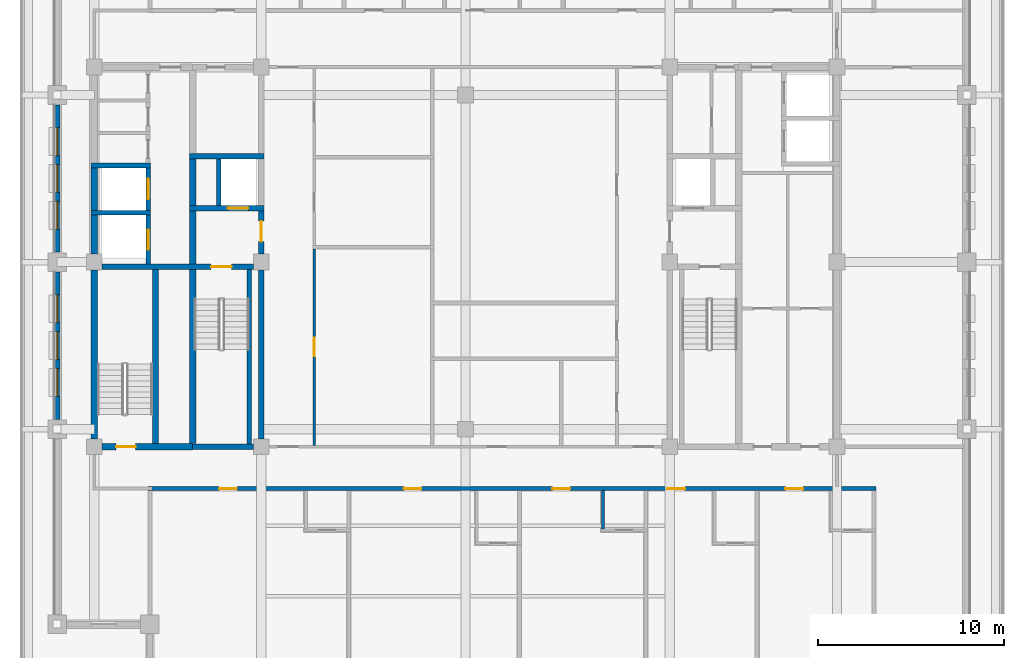
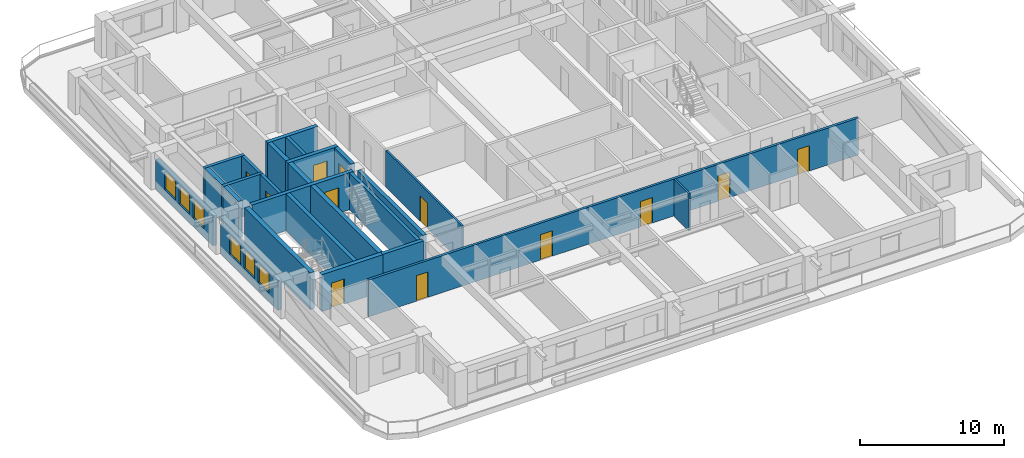
# One storey, part 3 of 15: 25 walls, 12 doors, 6 windows, 18 openings.
"""IFC4 building model written with IfcOpenShell, lengths in metres."""

from ifc_helpers import new_model, si_unit, direction, frame, frame_2d, origin, place, context, subcontext, project, spatial, rectangle, extrude, material, layer, layer_set, type_object, element, fill, save


model = new_model("IFC4")

# Units and contexts
model_context = context("Model", 3, precision=1e-05, world=origin(), true_north=direction((0.0, 1.0)))
body_context = subcontext(model_context, "Body", "Model", "MODEL_VIEW")
ifc_project = project(units=[si_unit("LENGTHUNIT", "METRE"), si_unit("AREAUNIT", "SQUARE_METRE"), si_unit("VOLUMEUNIT", "CUBIC_METRE"), si_unit("PLANEANGLEUNIT", "RADIAN"), si_unit("MASSUNIT", "GRAM", prefix="KILO")], contexts=[model_context])

# Site, building, storey
site_placement = place(None, origin())
site = spatial("IfcSite", under=ifc_project, at=site_placement, CompositionType="ELEMENT")
building_placement = place(site_placement, origin())
building = spatial("IfcBuilding", under=site, at=building_placement, Name="Zulmaris Gate Convention Tower", CompositionType="ELEMENT")
storey_placement = place(building_placement, frame((0.0, 0.0, 172.85986328125)))
storey = spatial("IfcBuildingStorey", under=building, at=storey_placement, Name="L44", CompositionType="ELEMENT", Elevation=172.85986328125)

# Walls
ifc_material_1 = material(Name="Concrete C50/60", Category="concrete")
ifc_layer_1 = layer(ifc_material_1, 0.25, Name="Concrete C50/60")
ifc_layer_set_1 = layer_set([ifc_layer_1], Name="Concrete C50/60")
wall_type_1 = type_object("IfcWallType", Name="CORE-250", PredefinedType="SOLIDWALL", material=ifc_layer_set_1)
for number, where, z_axis, x_axis, name in (
    (1, (-20.175048828125, 2.64990234375, 0.0), (0.0, 0.0, 1.0), (1.0, 0.0, 0.0), "WL-L44-007"),
    (2, (-20.175048828125, 5.199951171875, 0.0), (0.0, 0.0, 1.0), (1.0, 0.0, 0.0), "WL-L44-010"),
):
    element("IfcWall", number, at=place(storey_placement, frame(where, z_axis=z_axis, x_axis=x_axis)), inside=storey, type_object=wall_type_1, Name=name, PredefinedType="SOLIDWALL", context=body_context, shape_type="SweptSolid", body=[
        extrude(rectangle(XDim=3.199951171875, YDim=0.25, at=frame_2d((1.60009765625, 0.0))), origin(), (0.0, 0.0, 1.0), 3.125),
    ])

# Wall, opening, door
wall_1_placement = place(storey_placement, frame((-17.10009765625, -0.097900390625, 0.0), z_axis=(0.0, 0.0, 1.0), x_axis=(0.0, 1.0, 0.0)))
wall_1 = element("IfcWall", 3, at=wall_1_placement, inside=storey, type_object=wall_type_1, Name="WL-L44-050", PredefinedType="SOLIDWALL", context=body_context, shape_type="SweptSolid", body=[
    extrude(rectangle(XDim=2.620849609375, YDim=0.25, at=frame_2d((1.310546875, 0.0))), origin(), (0.0, 0.0, 1.0), 3.125),
])
opening_1_placement = place(wall_1_placement, frame((0.748046875, 0.0, 0.0)))
opening_1 = element("IfcOpeningElement", 4, at=opening_1_placement, cuts=wall_1, Name="Opening D-06", PredefinedType="OPENING", context=body_context, shape_type="SweptSolid", body=[
    extrude(rectangle(XDim=1.10009765625, YDim=2.199951171875, at=frame_2d((0.550048828125, 1.10009765625))), frame((0.0, 0.135009765625, 0.0), z_axis=(0.0, -1.0, 0.0), x_axis=(1.0, 0.0, 0.0)), (0.0, 0.0, 1.0), 0.27001953125),
])
ifc_material_2 = material(Name="Brushed Stainless Steel", Category="steel")
door_type_1 = type_object("IfcDoorType", Name="LD-1100", OperationType="NOTDEFINED", PredefinedType="DOOR", material=ifc_material_2)
door_1_placement = place(opening_1_placement, origin())
door_1 = element("IfcDoor", 5, at=door_1_placement, inside=storey, type_object=door_type_1, Name="L44 Lift Landing Door HP-03 11", OperationType="SLIDING_TO_LEFT", OverallHeight=2.199951171875, OverallWidth=1.10009765625, PredefinedType="DOOR", context=body_context, shape_type="SweptSolid", body=[
    extrude(rectangle(XDim=1.10009765625, YDim=2.199951171875, at=frame_2d((0.550048828125, 1.10009765625))), frame((0.0, 0.02490234375, 0.0), z_axis=(0.0, -1.0, 0.0), x_axis=(1.0, 0.0, 0.0)), (0.0, 0.0, 1.0), 0.050048828125),
])
fill(opening_1, door_1)

wall_2_placement = place(storey_placement, frame((-17.10009765625, 2.777099609375, 0.0), z_axis=(0.0, 0.0, 1.0), x_axis=(0.0, 1.0, 0.0)))
wall_2 = element("IfcWall", 6, at=wall_2_placement, inside=storey, type_object=wall_type_1, Name="WL-L44-051", PredefinedType="SOLIDWALL", context=body_context, shape_type="SweptSolid", body=[
    extrude(rectangle(XDim=2.2958984375, YDim=0.25, at=frame_2d((1.14794921875, 0.0))), origin(), (0.0, 0.0, 1.0), 3.125),
])
opening_2_placement = place(wall_2_placement, frame((0.597900390625, 0.0, 0.0)))
opening_2 = element("IfcOpeningElement", 7, at=opening_2_placement, cuts=wall_2, Name="Opening D-06", PredefinedType="OPENING", context=body_context, shape_type="SweptSolid", body=[
    extrude(rectangle(XDim=1.10009765625, YDim=2.199951171875, at=frame_2d((0.550048828125, 1.10009765625))), frame((0.0, 0.135009765625, 0.0), z_axis=(0.0, -1.0, 0.0), x_axis=(1.0, 0.0, 0.0)), (0.0, 0.0, 1.0), 0.27001953125),
])
door_2_placement = place(opening_2_placement, origin())
door_2 = element("IfcDoor", 8, at=door_2_placement, inside=storey, type_object=door_type_1, Name="L44 Lift Landing Door HP-04 12", OperationType="SLIDING_TO_LEFT", OverallHeight=2.199951171875, OverallWidth=1.10009765625, PredefinedType="DOOR", context=body_context, shape_type="SweptSolid", body=[
    extrude(rectangle(XDim=1.10009765625, YDim=2.199951171875, at=frame_2d((0.550048828125, 1.10009765625))), frame((0.0, 0.02490234375, 0.0), z_axis=(0.0, -1.0, 0.0), x_axis=(1.0, 0.0, 0.0)), (0.0, 0.0, 1.0), 0.050048828125),
])
fill(opening_2, door_2)

# Walls
wall_3_placement = place(storey_placement, frame((-13.300048828125, 3.052001953125, 0.0), z_axis=(0.0, 0.0, 1.0), x_axis=(0.0, 1.0, 0.0)))
element("IfcWall", 9, at=wall_3_placement, inside=storey, type_object=wall_type_1, Name="WL-L44-057", PredefinedType="SOLIDWALL", context=body_context, shape_type="SweptSolid", body=[
    extrude(rectangle(XDim=2.49609375, YDim=0.25, at=frame_2d((1.248046875, 0.0))), origin(), (0.0, 0.0, 1.0), 3.125),
])
wall_4_placement = place(storey_placement, frame((-11.64990234375, -9.798095703125, 0.0), z_axis=(0.0, 0.0, 1.0), x_axis=(0.0, 1.0, 0.0)))
element("IfcWall", 10, at=wall_4_placement, inside=storey, type_object=wall_type_1, Name="WL-L44-058", PredefinedType="SOLIDWALL", context=body_context, shape_type="SweptSolid", body=[
    extrude(rectangle(XDim=9.39599609375, YDim=0.25, at=frame_2d((4.697998046875, 0.0))), origin(), (0.0, 0.0, 1.0), 3.125),
])
ifc_layer_2 = layer(ifc_material_1, 0.300048828125, Name="Concrete C50/60")
ifc_layer_set_2 = layer_set([ifc_layer_2], Name="Concrete C50/60")
wall_type_2 = type_object("IfcWallType", Name="CORE-300", PredefinedType="SHEAR", material=ifc_layer_set_2)
wall_5_placement = place(storey_placement, frame((-14.699951171875, -9.949951171875, 0.0), z_axis=(0.0, 0.0, 1.0), x_axis=(1.0, 0.0, 0.0)))
element("IfcWall", 11, at=wall_5_placement, inside=storey, type_object=wall_type_2, Name="WL-L44-002", PredefinedType="SHEAR", context=body_context, shape_type="SweptSolid", body=[
    extrude(rectangle(XDim=3.27099609375, YDim=0.300048828125, at=frame_2d((1.635498046875, 0.0))), origin(), (0.0, 0.0, 1.0), 3.125),
])

# Wall, opening, door
wall_6_placement = place(storey_placement, frame((-19.571044921875, -0.25, 0.0), z_axis=(0.0, 0.0, 1.0), x_axis=(1.0, 0.0, 0.0)))
wall_6 = element("IfcWall", 12, at=wall_6_placement, inside=storey, type_object=wall_type_2, Name="WL-L44-005", PredefinedType="SHEAR", context=body_context, shape_type="SweptSolid", body=[
    extrude(rectangle(XDim=8.14208984375, YDim=0.300048828125, at=frame_2d((4.071044921875, 0.0))), origin(), (0.0, 0.0, 1.0), 3.125),
])
opening_3_placement = place(wall_6_placement, frame((5.87109375, 0.0, 0.0)))
opening_3 = element("IfcOpeningElement", 13, at=opening_3_placement, cuts=wall_6, Name="Opening D-08", PredefinedType="OPENING", context=body_context, shape_type="SweptSolid", body=[
    extrude(rectangle(XDim=1.10009765625, YDim=2.14990234375, at=frame_2d((0.550048828125, 1.074951171875))), frame((0.0, 0.16015625, 0.0), z_axis=(0.0, -1.0, 0.0), x_axis=(1.0, 0.0, 0.0)), (0.0, 0.0, 1.0), 0.320068359375),
])
ifc_material_3 = material(Name="Fire-Rated Steel", Category="steel")
door_type_2 = type_object("IfcDoorType", Name="DR-1100-FD", OperationType="NOTDEFINED", PredefinedType="DOOR", material=ifc_material_3)
door_3_placement = place(opening_3_placement, origin())
door_3 = element("IfcDoor", 14, at=door_3_placement, inside=storey, type_object=door_type_2, Name="L44 Exit Stair ST-1 Door 01", OperationType="SINGLE_SWING_RIGHT", OverallHeight=2.14990234375, OverallWidth=1.10009765625, PredefinedType="DOOR", context=body_context, shape_type="SweptSolid", body=[
    extrude(rectangle(XDim=1.10009765625, YDim=2.14990234375, at=frame_2d((0.550048828125, 1.074951171875))), frame((0.0, 0.02490234375, 0.0), z_axis=(0.0, -1.0, 0.0), x_axis=(1.0, 0.0, 0.0)), (0.0, 0.0, 1.0), 0.050048828125),
])
fill(opening_3, door_3)

wall_7_placement = place(storey_placement, frame((-14.875, 2.89990234375, 0.0), z_axis=(0.0, 0.0, 1.0), x_axis=(1.0, 0.0, 0.0)))
wall_7 = element("IfcWall", 15, at=wall_7_placement, inside=storey, type_object=wall_type_2, Name="WL-L44-008", PredefinedType="SHEAR", context=body_context, shape_type="SweptSolid", body=[
    extrude(rectangle(XDim=4.02490234375, YDim=0.300048828125, at=frame_2d((2.012451171875, 0.0))), origin(), (0.0, 0.0, 1.0), 3.125),
])
opening_4_placement = place(wall_7_placement, frame((2.074951171875, 0.0, 0.0)))
opening_4 = element("IfcOpeningElement", 16, at=opening_4_placement, cuts=wall_7, Name="Opening D-06", PredefinedType="OPENING", context=body_context, shape_type="SweptSolid", body=[
    extrude(rectangle(XDim=1.10009765625, YDim=2.199951171875, at=frame_2d((0.550048828125, 1.10009765625))), frame((0.0, 0.16015625, 0.0), z_axis=(0.0, -1.0, 0.0), x_axis=(1.0, 0.0, 0.0)), (0.0, 0.0, 1.0), 0.320068359375),
])
door_4_placement = place(opening_4_placement, origin())
door_4 = element("IfcDoor", 17, at=door_4_placement, inside=storey, type_object=door_type_1, Name="L44 Lift Landing Door LF-01 03", OperationType="SLIDING_TO_LEFT", OverallHeight=2.199951171875, OverallWidth=1.10009765625, PredefinedType="DOOR", context=body_context, shape_type="SweptSolid", body=[
    extrude(rectangle(XDim=1.10009765625, YDim=2.199951171875, at=frame_2d((0.550048828125, 1.10009765625))), frame((0.0, 0.02490234375, 0.0), z_axis=(0.0, -1.0, 0.0), x_axis=(1.0, 0.0, 0.0)), (0.0, 0.0, 1.0), 0.050048828125),
])
fill(opening_4, door_4)

# Walls
wall_8_placement = place(storey_placement, frame((-14.875, 5.699951171875, 0.0), z_axis=(0.0, 0.0, 1.0), x_axis=(1.0, 0.0, 0.0)))
element("IfcWall", 18, at=wall_8_placement, inside=storey, type_object=wall_type_2, Name="WL-L44-012", PredefinedType="SHEAR", context=body_context, shape_type="SweptSolid", body=[
    extrude(rectangle(XDim=4.02490234375, YDim=0.300048828125, at=frame_2d((2.012451171875, 0.0))), origin(), (0.0, 0.0, 1.0), 3.125),
])
wall_9_placement = place(storey_placement, frame((-16.699951171875, -9.77294921875, 0.0), z_axis=(0.0, 0.0, 1.0), x_axis=(0.0, 1.0, 0.0)))
element("IfcWall", 19, at=wall_9_placement, inside=storey, type_object=wall_type_2, Name="WL-L44-052", PredefinedType="SHEAR", context=body_context, shape_type="SweptSolid", body=[
    extrude(rectangle(XDim=9.370849609375, YDim=0.300048828125, at=frame_2d((4.685546875, 0.0))), origin(), (0.0, 0.0, 1.0), 3.125),
])
wall_10_placement = place(storey_placement, frame((-11.0, -9.52099609375, 0.0), z_axis=(0.0, 0.0, 1.0), x_axis=(0.0, 1.0, 0.0)))
element("IfcWall", 20, at=wall_10_placement, inside=storey, type_object=wall_type_2, Name="WL-L44-059", PredefinedType="SHEAR", context=body_context, shape_type="SweptSolid", body=[
    extrude(rectangle(XDim=9.092041015625, YDim=0.300048828125, at=frame_2d((4.5458984375, 0.0))), origin(), (0.0, 0.0, 1.0), 3.125),
])

# Wall, opening, door
wall_11_placement = place(storey_placement, frame((-11.0, 0.428955078125, 0.0), z_axis=(0.0, 0.0, 1.0), x_axis=(0.0, 1.0, 0.0)))
wall_11 = element("IfcWall", 21, at=wall_11_placement, inside=storey, type_object=wall_type_2, Name="WL-L44-060", PredefinedType="SHEAR", context=body_context, shape_type="SweptSolid", body=[
    extrude(rectangle(XDim=2.319091796875, YDim=0.300048828125, at=frame_2d((1.15966796875, 0.0))), origin(), (0.0, 0.0, 1.0), 3.125),
])
opening_5_placement = place(wall_11_placement, frame((0.6708984375, 0.0, 0.0)))
opening_5 = element("IfcOpeningElement", 22, at=opening_5_placement, cuts=wall_11, Name="Opening D-08", PredefinedType="OPENING", context=body_context, shape_type="SweptSolid", body=[
    extrude(rectangle(XDim=1.10009765625, YDim=2.14990234375, at=frame_2d((0.550048828125, 1.074951171875))), frame((0.0, 0.16015625, 0.0), z_axis=(0.0, -1.0, 0.0), x_axis=(1.0, 0.0, 0.0)), (0.0, 0.0, 1.0), 0.320068359375),
])
door_5_placement = place(opening_5_placement, origin())
door_5 = element("IfcDoor", 23, at=door_5_placement, inside=storey, type_object=door_type_2, Name="L44 West Firefighting Lobby Door 02", OperationType="SINGLE_SWING_LEFT", OverallHeight=2.14990234375, OverallWidth=1.10009765625, PredefinedType="DOOR", context=body_context, shape_type="SweptSolid", body=[
    extrude(rectangle(XDim=1.10009765625, YDim=2.14990234375, at=frame_2d((0.550048828125, 1.074951171875))), frame((0.0, 0.02490234375, 0.0), z_axis=(0.0, -1.0, 0.0), x_axis=(1.0, 0.0, 0.0)), (0.0, 0.0, 1.0), 0.050048828125),
])
fill(opening_5, door_5)

ifc_material_4 = material(Name="Concrete C55/67", Category="concrete")
ifc_layer_3 = layer(ifc_material_4, 0.35009765625, Name="Concrete C55/67")
ifc_layer_set_3 = layer_set([ifc_layer_3], Name="Concrete C55/67")
wall_type_3 = type_object("IfcWallType", Name="CORE-350", PredefinedType="SHEAR", material=ifc_layer_set_3)
wall_12_placement = place(storey_placement, frame((-19.571044921875, -9.949951171875, 0.0), z_axis=(0.0, 0.0, 1.0), x_axis=(1.0, 0.0, 0.0)))
wall_12 = element("IfcWall", 24, at=wall_12_placement, inside=storey, type_object=wall_type_3, Name="WL-L44-001", PredefinedType="SHEAR", context=body_context, shape_type="SweptSolid", body=[
    extrude(rectangle(XDim=4.87109375, YDim=0.35009765625, at=frame_2d((2.435546875, 0.0))), origin(), (0.0, 0.0, 1.0), 3.125),
])
opening_6_placement = place(wall_12_placement, frame((0.74609375, 0.0, 0.0)))
opening_6 = element("IfcOpeningElement", 25, at=opening_6_placement, cuts=wall_12, Name="Opening D-09", PredefinedType="OPENING", context=body_context, shape_type="SweptSolid", body=[
    extrude(rectangle(XDim=1.050048828125, YDim=2.14990234375, at=frame_2d((0.52490234375, 1.074951171875))), frame((0.0, 0.18505859375, 0.0), z_axis=(0.0, -1.0, 0.0), x_axis=(1.0, 0.0, 0.0)), (0.0, 0.0, 1.0), 0.3701171875),
])
door_type_3 = type_object("IfcDoorType", Name="DR-1050-FD", OperationType="NOTDEFINED", PredefinedType="DOOR", material=ifc_material_3)
door_6_placement = place(opening_6_placement, origin())
door_6 = element("IfcDoor", 26, at=door_6_placement, inside=storey, type_object=door_type_3, Name="L44 Exit Stair ST-3 Door 10", OperationType="SINGLE_SWING_LEFT", OverallHeight=2.14990234375, OverallWidth=1.050048828125, PredefinedType="DOOR", context=body_context, shape_type="SweptSolid", body=[
    extrude(rectangle(XDim=1.050048828125, YDim=2.14990234375, at=frame_2d((0.52490234375, 1.074951171875))), frame((0.0, 0.02490234375, 0.0), z_axis=(0.0, -1.0, 0.0), x_axis=(1.0, 0.0, 0.0)), (0.0, 0.0, 1.0), 0.050048828125),
])
fill(opening_6, door_6)

# Walls
wall_13_placement = place(storey_placement, frame((-20.0, -9.52099609375, 0.0), z_axis=(0.0, 0.0, 1.0), x_axis=(0.0, 1.0, 0.0)))
element("IfcWall", 27, at=wall_13_placement, inside=storey, type_object=wall_type_3, Name="WL-L44-046", PredefinedType="SHEAR", context=body_context, shape_type="SweptSolid", body=[
    extrude(rectangle(XDim=9.092041015625, YDim=0.35009765625, at=frame_2d((4.5458984375, 0.0))), origin(), (0.0, 0.0, 1.0), 3.125),
])
wall_14_placement = place(storey_placement, frame((-20.0, 0.428955078125, 0.0), z_axis=(0.0, 0.0, 1.0), x_axis=(0.0, 1.0, 0.0)))
element("IfcWall", 28, at=wall_14_placement, inside=storey, type_object=wall_type_3, Name="WL-L44-047", PredefinedType="SHEAR", context=body_context, shape_type="SweptSolid", body=[
    extrude(rectangle(XDim=2.093994140625, YDim=0.35009765625, at=frame_2d((1.046875, 0.0))), origin(), (0.0, 0.0, 1.0), 3.125),
])
wall_15_placement = place(storey_placement, frame((-20.0, 2.777099609375, 0.0), z_axis=(0.0, 0.0, 1.0), x_axis=(0.0, 1.0, 0.0)))
element("IfcWall", 29, at=wall_15_placement, inside=storey, type_object=wall_type_3, Name="WL-L44-048", PredefinedType="SHEAR", context=body_context, shape_type="SweptSolid", body=[
    extrude(rectangle(XDim=2.2958984375, YDim=0.35009765625, at=frame_2d((1.14794921875, 0.0))), origin(), (0.0, 0.0, 1.0), 3.125),
])
wall_16_placement = place(storey_placement, frame((-14.699951171875, -9.77294921875, 0.0), z_axis=(0.0, 0.0, 1.0), x_axis=(0.0, 1.0, 0.0)))
element("IfcWall", 30, at=wall_16_placement, inside=storey, type_object=wall_type_3, Name="WL-L44-053", PredefinedType="SHEAR", context=body_context, shape_type="SweptSolid", body=[
    extrude(rectangle(XDim=9.370849609375, YDim=0.35009765625, at=frame_2d((4.685546875, 0.0))), origin(), (0.0, 0.0, 1.0), 3.125),
])
wall_17_placement = place(storey_placement, frame((-14.699951171875, -0.097900390625, 0.0), z_axis=(0.0, 0.0, 1.0), x_axis=(0.0, 1.0, 0.0)))
element("IfcWall", 31, at=wall_17_placement, inside=storey, type_object=wall_type_3, Name="WL-L44-054", PredefinedType="SHEAR", context=body_context, shape_type="SweptSolid", body=[
    extrude(rectangle(XDim=2.845947265625, YDim=0.35009765625, at=frame_2d((1.4228515625, 0.0))), origin(), (0.0, 0.0, 1.0), 3.125),
])
wall_18_placement = place(storey_placement, frame((-14.699951171875, 3.052001953125, 0.0), z_axis=(0.0, 0.0, 1.0), x_axis=(0.0, 1.0, 0.0)))
element("IfcWall", 32, at=wall_18_placement, inside=storey, type_object=wall_type_3, Name="WL-L44-055", PredefinedType="SHEAR", context=body_context, shape_type="SweptSolid", body=[
    extrude(rectangle(XDim=2.49609375, YDim=0.35009765625, at=frame_2d((1.248046875, 0.0))), origin(), (0.0, 0.0, 1.0), 3.125),
])

# Wall, opening, door
ifc_material_5 = material(Name="Gypsum Metal Stud Partition")
ifc_layer_4 = layer(ifc_material_5, 0.14990234375, Name="Gypsum Metal Stud Partition")
ifc_layer_set_4 = layer_set([ifc_layer_4], Name="Gypsum Metal Stud Partition")
wall_type_4 = type_object("IfcWallType", Name="PART-150", PredefinedType="PARTITIONING", material=ifc_layer_set_4)
wall_19_placement = place(storey_placement, frame((-8.14990234375, -9.8720703125, 0.0), z_axis=(0.0, 0.0, 1.0), x_axis=(0.0, 1.0, 0.0)))
wall_19 = element("IfcWall", 33, at=wall_19_placement, inside=storey, type_object=wall_type_4, Name="WL-L44-087", PredefinedType="PARTITIONING", context=body_context, shape_type="SweptSolid", body=[
    extrude(rectangle(XDim=10.569091796875, YDim=0.14990234375, at=frame_2d((5.28466796875, 0.0))), origin(), (0.0, 0.0, 1.0), 3.125),
])
opening_7_placement = place(wall_19_placement, frame((4.802001953125, 0.0, 0.0)))
opening_7 = element("IfcOpeningElement", 34, at=opening_7_placement, cuts=wall_19, Name="Opening D-10", PredefinedType="OPENING", context=body_context, shape_type="SweptSolid", body=[
    extrude(rectangle(XDim=1.0, YDim=2.14990234375, at=frame_2d((0.5, 1.074951171875))), frame((0.0, 0.0849609375, 0.0), z_axis=(0.0, -1.0, 0.0), x_axis=(1.0, 0.0, 0.0)), (0.0, 0.0, 1.0), 0.169921875),
])
ifc_material_6 = material(Name="Fire-Rated Timber", Category="wood")
door_type_4 = type_object("IfcDoorType", Name="DR-1000-FD", OperationType="NOTDEFINED", PredefinedType="DOOR", material=ifc_material_6)
door_7_placement = place(opening_7_placement, origin())
door_7 = element("IfcDoor", 35, at=door_7_placement, inside=storey, type_object=door_type_4, Name="L44 Guest Study Door 50", OperationType="SINGLE_SWING_LEFT", OverallHeight=2.14990234375, OverallWidth=1.0, PredefinedType="DOOR", context=body_context, shape_type="SweptSolid", body=[
    extrude(rectangle(XDim=1.0, YDim=2.14990234375, at=frame_2d((0.5, 1.074951171875))), frame((0.0, 0.02490234375, 0.0), z_axis=(0.0, -1.0, 0.0), x_axis=(1.0, 0.0, 0.0)), (0.0, 0.0, 1.0), 0.050048828125),
])
fill(opening_7, door_7)

# Wall
wall_20_placement = place(storey_placement, frame((7.39990234375, -14.3720703125, 0.0), z_axis=(0.0, 0.0, 1.0), x_axis=(0.0, 1.0, 0.0)))
element("IfcWall", 36, at=wall_20_placement, inside=storey, type_object=wall_type_4, Name="WL-L44-109", PredefinedType="PARTITIONING", context=body_context, shape_type="SweptSolid", body=[
    extrude(rectangle(XDim=2.069091796875, YDim=0.14990234375, at=frame_2d((1.03466796875, 0.0))), origin(), (0.0, 0.0, 1.0), 3.125),
])

# Wall, openings, doors
ifc_material_7 = material(Name="Autoclaved Aerated Concrete Block and Plasterboard", Category="concrete")
ifc_layer_5 = layer(ifc_material_7, 0.199951171875, Name="Autoclaved Aerated Concrete Block and Plasterboard")
ifc_layer_set_5 = layer_set([ifc_layer_5], Name="Autoclaved Aerated Concrete Block and Plasterboard")
wall_type_5 = type_object("IfcWallType", Name="PART-200", PredefinedType="PARTITIONING", material=ifc_layer_set_5)
wall_21_placement = place(storey_placement, frame((-17.10009765625, -12.199951171875, 0.0), z_axis=(0.0, 0.0, 1.0), x_axis=(1.0, 0.0, 0.0)))
wall_21 = element("IfcWall", 37, at=wall_21_placement, inside=storey, type_object=wall_type_5, Name="WL-L44-025", PredefinedType="PARTITIONING", context=body_context, shape_type="SweptSolid", body=[
    extrude(rectangle(XDim=39.2001953125, YDim=0.199951171875, at=frame_2d((19.60009765625, 0.0))), origin(), (0.0, 0.0, 1.0), 3.125),
])
opening_8_placement = place(wall_21_placement, frame((3.824951171875, 0.0, 0.0)))
opening_8 = element("IfcOpeningElement", 38, at=opening_8_placement, cuts=wall_21, Name="Opening D-11", PredefinedType="OPENING", context=body_context, shape_type="SweptSolid", body=[
    extrude(rectangle(XDim=0.949951171875, YDim=2.14990234375, at=frame_2d((0.47509765625, 1.074951171875))), frame((0.0, 0.10986328125, 0.0), z_axis=(0.0, -1.0, 0.0), x_axis=(1.0, 0.0, 0.0)), (0.0, 0.0, 1.0), 0.219970703125),
])
opening_9_placement = place(wall_21_placement, frame((13.77490234375, 0.0, 0.0)))
opening_9 = element("IfcOpeningElement", 39, at=opening_9_placement, cuts=wall_21, Name="Opening D-11", PredefinedType="OPENING", context=body_context, shape_type="SweptSolid", body=[
    extrude(rectangle(XDim=0.949951171875, YDim=2.14990234375, at=frame_2d((0.47509765625, 1.074951171875))), frame((0.0, 0.10986328125, 0.0), z_axis=(0.0, -1.0, 0.0), x_axis=(1.0, 0.0, 0.0)), (0.0, 0.0, 1.0), 0.219970703125),
])
opening_10_placement = place(wall_21_placement, frame((21.77490234375, 0.0, 0.0)))
opening_10 = element("IfcOpeningElement", 40, at=opening_10_placement, cuts=wall_21, Name="Opening D-11", PredefinedType="OPENING", context=body_context, shape_type="SweptSolid", body=[
    extrude(rectangle(XDim=0.949951171875, YDim=2.14990234375, at=frame_2d((0.47509765625, 1.074951171875))), frame((0.0, 0.10986328125, 0.0), z_axis=(0.0, -1.0, 0.0), x_axis=(1.0, 0.0, 0.0)), (0.0, 0.0, 1.0), 0.219970703125),
])
opening_11_placement = place(wall_21_placement, frame((27.97509765625, 0.0, 0.0)))
opening_11 = element("IfcOpeningElement", 41, at=opening_11_placement, cuts=wall_21, Name="Opening D-11", PredefinedType="OPENING", context=body_context, shape_type="SweptSolid", body=[
    extrude(rectangle(XDim=0.949951171875, YDim=2.14990234375, at=frame_2d((0.47509765625, 1.074951171875))), frame((0.0, 0.10986328125, 0.0), z_axis=(0.0, -1.0, 0.0), x_axis=(1.0, 0.0, 0.0)), (0.0, 0.0, 1.0), 0.219970703125),
])
opening_12_placement = place(wall_21_placement, frame((34.324951171875, 0.0, 0.0)))
opening_12 = element("IfcOpeningElement", 42, at=opening_12_placement, cuts=wall_21, Name="Opening D-11", PredefinedType="OPENING", context=body_context, shape_type="SweptSolid", body=[
    extrude(rectangle(XDim=0.949951171875, YDim=2.14990234375, at=frame_2d((0.47509765625, 1.074951171875))), frame((0.0, 0.10986328125, 0.0), z_axis=(0.0, -1.0, 0.0), x_axis=(1.0, 0.0, 0.0)), (0.0, 0.0, 1.0), 0.219970703125),
])
door_type_5 = type_object("IfcDoorType", Name="DR-950-FD", OperationType="NOTDEFINED", PredefinedType="DOOR", material=ifc_material_6)
door_8_placement = place(opening_8_placement, origin())
door_8 = element("IfcDoor", 43, at=door_8_placement, inside=storey, type_object=door_type_5, Name="L44 Hotel Executive Suite Door 38", OperationType="SINGLE_SWING_LEFT", OverallHeight=2.14990234375, OverallWidth=0.949951171875, PredefinedType="DOOR", context=body_context, shape_type="SweptSolid", body=[
    extrude(rectangle(XDim=0.949951171875, YDim=2.14990234375, at=frame_2d((0.47509765625, 1.074951171875))), frame((0.0, 0.02490234375, 0.0), z_axis=(0.0, -1.0, 0.0), x_axis=(1.0, 0.0, 0.0)), (0.0, 0.0, 1.0), 0.050048828125),
])
fill(opening_8, door_8)
door_9_placement = place(opening_9_placement, origin())
door_9 = element("IfcDoor", 44, at=door_9_placement, inside=storey, type_object=door_type_5, Name="L44 Hotel Executive Suite Door 40", OperationType="SINGLE_SWING_LEFT", OverallHeight=2.14990234375, OverallWidth=0.949951171875, PredefinedType="DOOR", context=body_context, shape_type="SweptSolid", body=[
    extrude(rectangle(XDim=0.949951171875, YDim=2.14990234375, at=frame_2d((0.47509765625, 1.074951171875))), frame((0.0, 0.02490234375, 0.0), z_axis=(0.0, -1.0, 0.0), x_axis=(1.0, 0.0, 0.0)), (0.0, 0.0, 1.0), 0.050048828125),
])
fill(opening_9, door_9)
door_10_placement = place(opening_10_placement, origin())
door_10 = element("IfcDoor", 45, at=door_10_placement, inside=storey, type_object=door_type_5, Name="L44 Hotel Executive Suite Door 42", OperationType="SINGLE_SWING_LEFT", OverallHeight=2.14990234375, OverallWidth=0.949951171875, PredefinedType="DOOR", context=body_context, shape_type="SweptSolid", body=[
    extrude(rectangle(XDim=0.949951171875, YDim=2.14990234375, at=frame_2d((0.47509765625, 1.074951171875))), frame((0.0, 0.02490234375, 0.0), z_axis=(0.0, -1.0, 0.0), x_axis=(1.0, 0.0, 0.0)), (0.0, 0.0, 1.0), 0.050048828125),
])
fill(opening_10, door_10)
door_11_placement = place(opening_11_placement, origin())
door_11 = element("IfcDoor", 46, at=door_11_placement, inside=storey, type_object=door_type_5, Name="L44 Hotel Executive Suite Door 44", OperationType="SINGLE_SWING_LEFT", OverallHeight=2.14990234375, OverallWidth=0.949951171875, PredefinedType="DOOR", context=body_context, shape_type="SweptSolid", body=[
    extrude(rectangle(XDim=0.949951171875, YDim=2.14990234375, at=frame_2d((0.47509765625, 1.074951171875))), frame((0.0, 0.02490234375, 0.0), z_axis=(0.0, -1.0, 0.0), x_axis=(1.0, 0.0, 0.0)), (0.0, 0.0, 1.0), 0.050048828125),
])
fill(opening_11, door_11)
door_12_placement = place(opening_12_placement, origin())
door_12 = element("IfcDoor", 47, at=door_12_placement, inside=storey, type_object=door_type_5, Name="L44 Hotel Executive Suite Door 46", OperationType="SINGLE_SWING_LEFT", OverallHeight=2.14990234375, OverallWidth=0.949951171875, PredefinedType="DOOR", context=body_context, shape_type="SweptSolid", body=[
    extrude(rectangle(XDim=0.949951171875, YDim=2.14990234375, at=frame_2d((0.47509765625, 1.074951171875))), frame((0.0, 0.02490234375, 0.0), z_axis=(0.0, -1.0, 0.0), x_axis=(1.0, 0.0, 0.0)), (0.0, 0.0, 1.0), 0.050048828125),
])
fill(opening_12, door_12)

# Wall, openings, windows
ifc_material_8 = material(Name="Precast concrete C40/50", Category="concrete")
ifc_layer_6 = layer(ifc_material_8, 0.300048828125, Name="Precast concrete C40/50")
ifc_layer_set_6 = layer_set([ifc_layer_6], Name="Precast concrete C40/50")
wall_type_6 = type_object("IfcWallType", Name="PRECAST-PIER-300", PredefinedType="STANDARD", material=ifc_layer_set_6)
wall_22_placement = place(storey_placement, frame((-22.0, -0.530029296875, 0.0), z_axis=(0.0, 0.0, 1.0), x_axis=(0.0, -1.0, 0.0)))
wall_22 = element("IfcWall", 48, at=wall_22_placement, inside=storey, type_object=wall_type_6, Name="EW-L44-W-1_0", PredefinedType="STANDARD", context=body_context, shape_type="SweptSolid", body=[
    extrude(rectangle(XDim=7.93994140625, YDim=0.300048828125, at=frame_2d((3.969970703125, 0.0))), origin(), (0.0, 0.0, 1.0), 2.516845703125),
])
opening_13_placement = place(wall_22_placement, frame((1.235107421875, 0.0, 0.719970703125)))
opening_13 = element("IfcOpeningElement", 49, at=opening_13_placement, cuts=wall_22, Name="Opening W-03", PredefinedType="OPENING", context=body_context, shape_type="SweptSolid", body=[
    extrude(rectangle(XDim=1.5, YDim=1.60009765625, at=frame_2d((0.75, 0.800048828125))), frame((0.0, 0.16015625, 0.0), z_axis=(0.0, -1.0, 0.0), x_axis=(1.0, 0.0, 0.0)), (0.0, 0.0, 1.0), 0.320068359375),
])
opening_14_placement = place(wall_22_placement, frame((3.219970703125, 0.0, 0.719970703125)))
opening_14 = element("IfcOpeningElement", 50, at=opening_14_placement, cuts=wall_22, Name="Opening W-03", PredefinedType="OPENING", context=body_context, shape_type="SweptSolid", body=[
    extrude(rectangle(XDim=1.5, YDim=1.60009765625, at=frame_2d((0.75, 0.800048828125))), frame((0.0, 0.16015625, 0.0), z_axis=(0.0, -1.0, 0.0), x_axis=(1.0, 0.0, 0.0)), (0.0, 0.0, 1.0), 0.320068359375),
])
opening_15_placement = place(wall_22_placement, frame((5.205078125, 0.0, 0.719970703125)))
opening_15 = element("IfcOpeningElement", 51, at=opening_15_placement, cuts=wall_22, Name="Opening W-03", PredefinedType="OPENING", context=body_context, shape_type="SweptSolid", body=[
    extrude(rectangle(XDim=1.5, YDim=1.60009765625, at=frame_2d((0.75, 0.800048828125))), frame((0.0, 0.16015625, 0.0), z_axis=(0.0, -1.0, 0.0), x_axis=(1.0, 0.0, 0.0)), (0.0, 0.0, 1.0), 0.320068359375),
])
ifc_material_9 = material(Name="Low-E Laminated Double Glazing in Aluminium Frame", Category="aluminium")
window_type = type_object("IfcWindowType", Name="WIN-1500x2100", PartitioningType="SINGLE_PANEL", PredefinedType="WINDOW", material=ifc_material_9)
window_1_placement = place(opening_13_placement, origin())
window_1 = element("IfcWindow", 52, at=window_1_placement, inside=storey, type_object=window_type, Name="WN-EW-L44-W-1_0-1", OverallHeight=1.60009765625, OverallWidth=1.5, PartitioningType="SINGLE_PANEL", PredefinedType="WINDOW", context=body_context, shape_type="SweptSolid", body=[
    extrude(rectangle(XDim=1.5, YDim=1.60009765625, at=frame_2d((0.75, 0.800048828125))), frame((0.0, 0.030029296875, 0.0), z_axis=(0.0, -1.0, 0.0), x_axis=(1.0, 0.0, 0.0)), (0.0, 0.0, 1.0), 0.06005859375),
])
fill(opening_13, window_1)
window_2_placement = place(opening_14_placement, origin())
window_2 = element("IfcWindow", 53, at=window_2_placement, inside=storey, type_object=window_type, Name="WN-EW-L44-W-1_0-2", OverallHeight=1.60009765625, OverallWidth=1.5, PartitioningType="SINGLE_PANEL", PredefinedType="WINDOW", context=body_context, shape_type="SweptSolid", body=[
    extrude(rectangle(XDim=1.5, YDim=1.60009765625, at=frame_2d((0.75, 0.800048828125))), frame((0.0, 0.030029296875, 0.0), z_axis=(0.0, -1.0, 0.0), x_axis=(1.0, 0.0, 0.0)), (0.0, 0.0, 1.0), 0.06005859375),
])
fill(opening_14, window_2)
window_3_placement = place(opening_15_placement, origin())
window_3 = element("IfcWindow", 54, at=window_3_placement, inside=storey, type_object=window_type, Name="WN-EW-L44-W-1_0-3", OverallHeight=1.60009765625, OverallWidth=1.5, PartitioningType="SINGLE_PANEL", PredefinedType="WINDOW", context=body_context, shape_type="SweptSolid", body=[
    extrude(rectangle(XDim=1.5, YDim=1.60009765625, at=frame_2d((0.75, 0.800048828125))), frame((0.0, 0.030029296875, 0.0), z_axis=(0.0, -1.0, 0.0), x_axis=(1.0, 0.0, 0.0)), (0.0, 0.0, 1.0), 0.06005859375),
])
fill(opening_15, window_3)

wall_23_placement = place(storey_placement, frame((-22.0, 8.469970703125, 0.0), z_axis=(0.0, 0.0, 1.0), x_axis=(0.0, -1.0, 0.0)))
wall_23 = element("IfcWall", 55, at=wall_23_placement, inside=storey, type_object=wall_type_6, Name="EW-L44-W-2_0", PredefinedType="STANDARD", context=body_context, shape_type="SweptSolid", body=[
    extrude(rectangle(XDim=7.93994140625, YDim=0.300048828125, at=frame_2d((3.969970703125, 0.0))), origin(), (0.0, 0.0, 1.0), 2.516845703125),
])
opening_16_placement = place(wall_23_placement, frame((1.235107421875, 0.0, 0.719970703125)))
opening_16 = element("IfcOpeningElement", 56, at=opening_16_placement, cuts=wall_23, Name="Opening W-03", PredefinedType="OPENING", context=body_context, shape_type="SweptSolid", body=[
    extrude(rectangle(XDim=1.5, YDim=1.60009765625, at=frame_2d((0.75, 0.800048828125))), frame((0.0, 0.16015625, 0.0), z_axis=(0.0, -1.0, 0.0), x_axis=(1.0, 0.0, 0.0)), (0.0, 0.0, 1.0), 0.320068359375),
])
opening_17_placement = place(wall_23_placement, frame((3.219970703125, 0.0, 0.719970703125)))
opening_17 = element("IfcOpeningElement", 57, at=opening_17_placement, cuts=wall_23, Name="Opening W-03", PredefinedType="OPENING", context=body_context, shape_type="SweptSolid", body=[
    extrude(rectangle(XDim=1.5, YDim=1.60009765625, at=frame_2d((0.75, 0.800048828125))), frame((0.0, 0.16015625, 0.0), z_axis=(0.0, -1.0, 0.0), x_axis=(1.0, 0.0, 0.0)), (0.0, 0.0, 1.0), 0.320068359375),
])
opening_18_placement = place(wall_23_placement, frame((5.205078125, 0.0, 0.719970703125)))
opening_18 = element("IfcOpeningElement", 58, at=opening_18_placement, cuts=wall_23, Name="Opening W-03", PredefinedType="OPENING", context=body_context, shape_type="SweptSolid", body=[
    extrude(rectangle(XDim=1.5, YDim=1.60009765625, at=frame_2d((0.75, 0.800048828125))), frame((0.0, 0.16015625, 0.0), z_axis=(0.0, -1.0, 0.0), x_axis=(1.0, 0.0, 0.0)), (0.0, 0.0, 1.0), 0.320068359375),
])
window_4_placement = place(opening_16_placement, origin())
window_4 = element("IfcWindow", 59, at=window_4_placement, inside=storey, type_object=window_type, Name="WN-EW-L44-W-2_0-1", OverallHeight=1.60009765625, OverallWidth=1.5, PartitioningType="SINGLE_PANEL", PredefinedType="WINDOW", context=body_context, shape_type="SweptSolid", body=[
    extrude(rectangle(XDim=1.5, YDim=1.60009765625, at=frame_2d((0.75, 0.800048828125))), frame((0.0, 0.030029296875, 0.0), z_axis=(0.0, -1.0, 0.0), x_axis=(1.0, 0.0, 0.0)), (0.0, 0.0, 1.0), 0.06005859375),
])
fill(opening_16, window_4)
window_5_placement = place(opening_17_placement, origin())
window_5 = element("IfcWindow", 60, at=window_5_placement, inside=storey, type_object=window_type, Name="WN-EW-L44-W-2_0-2", OverallHeight=1.60009765625, OverallWidth=1.5, PartitioningType="SINGLE_PANEL", PredefinedType="WINDOW", context=body_context, shape_type="SweptSolid", body=[
    extrude(rectangle(XDim=1.5, YDim=1.60009765625, at=frame_2d((0.75, 0.800048828125))), frame((0.0, 0.030029296875, 0.0), z_axis=(0.0, -1.0, 0.0), x_axis=(1.0, 0.0, 0.0)), (0.0, 0.0, 1.0), 0.06005859375),
])
fill(opening_17, window_5)
window_6_placement = place(opening_18_placement, origin())
window_6 = element("IfcWindow", 61, at=window_6_placement, inside=storey, type_object=window_type, Name="WN-EW-L44-W-2_0-3", OverallHeight=1.60009765625, OverallWidth=1.5, PartitioningType="SINGLE_PANEL", PredefinedType="WINDOW", context=body_context, shape_type="SweptSolid", body=[
    extrude(rectangle(XDim=1.5, YDim=1.60009765625, at=frame_2d((0.75, 0.800048828125))), frame((0.0, 0.030029296875, 0.0), z_axis=(0.0, -1.0, 0.0), x_axis=(1.0, 0.0, 0.0)), (0.0, 0.0, 1.0), 0.06005859375),
])
fill(opening_18, window_6)

save(model, "model.ifc")
